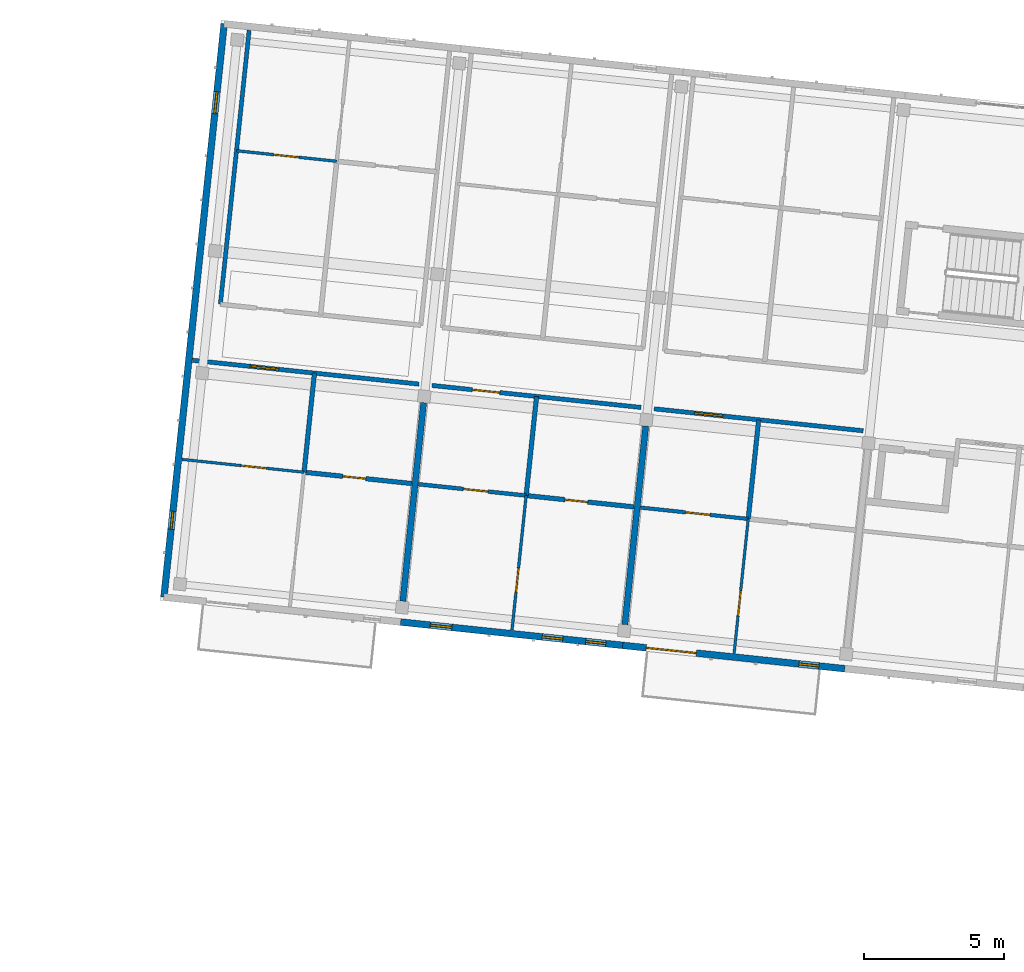
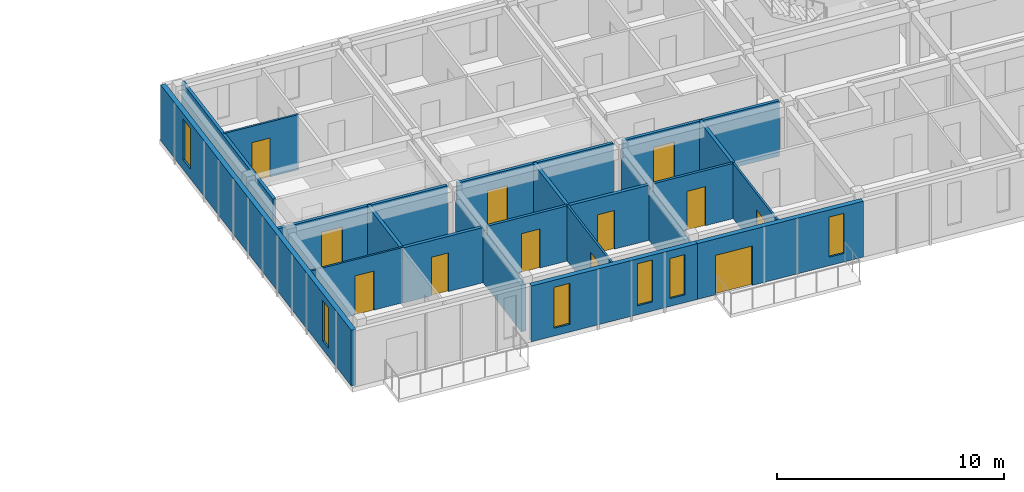
# One storey, part 27 of 56: 20 walls, 12 doors, 6 windows, 18 openings.
"""IFC4 building model written with IfcOpenShell, lengths in metres."""

from ifc_helpers import new_model, si_unit, direction, frame, frame_2d, origin, place, context, subcontext, project, spatial, rectangle, extrude, material, layer, layer_set, type_object, element, fill, save


model = new_model("IFC4")

# Units and contexts
model_context = context("Model", 3, precision=1e-05, world=origin(), true_north=direction((0.0, 1.0)))
body_context = subcontext(model_context, "Body", "Model", "MODEL_VIEW")
ifc_project = project(units=[si_unit("LENGTHUNIT", "METRE"), si_unit("AREAUNIT", "SQUARE_METRE"), si_unit("VOLUMEUNIT", "CUBIC_METRE"), si_unit("PLANEANGLEUNIT", "RADIAN"), si_unit("MASSUNIT", "GRAM", prefix="KILO")], contexts=[model_context])

# Site, building, storey
site_placement = place(None, origin())
site = spatial("IfcSite", under=ifc_project, at=site_placement, CompositionType="ELEMENT")
building_placement = place(site_placement, origin())
building = spatial("IfcBuilding", under=site, at=building_placement, Name="Kestramere Prow Commons", CompositionType="ELEMENT")
storey_placement = place(building_placement, frame((0.0, 0.0, 27.89990234375)))
storey = spatial("IfcBuildingStorey", under=building, at=storey_placement, Name="L08", CompositionType="ELEMENT", Elevation=27.89990234375)

# Wall, openings, windows
ifc_material_1 = material(Name="Fluoropolymer Standing-Seam Zinc-Aluminium Cladding", Category="aluminium")
ifc_layer_1 = layer(ifc_material_1, 0.239990234375)
ifc_layer_set_1 = layer_set([ifc_layer_1], Name="Fluoropolymer Standing-Seam Zinc-Aluminium Cladding")
wall_type_1 = type_object("IfcWallType", Name="EW-SEAM-240", PredefinedType="SOLIDWALL", material=ifc_layer_set_1)
wall_1_placement = place(storey_placement, frame((125.857421875, 92.60546875, 0.0), z_axis=(0.0, 0.0, 1.0), x_axis=(-0.994522329422, 0.104524333444, 0.0)))
wall_1 = element("IfcWall", 1, at=wall_1_placement, inside=storey, type_object=wall_type_1, Name="Block B L08 South Standing-Seam Wall 2", PredefinedType="SOLIDWALL", context=body_context, shape_type="SweptSolid", body=[
    extrude(rectangle(XDim=7.999755859375, YDim=0.239990234375, at=frame_2d((4.0, 0.0))), origin(), (0.0, 0.0, 1.0), 3.0),
])
opening_1_placement = place(wall_1_placement, frame((0.610107421875, 0.0, 0.419921875)))
opening_1 = element("IfcOpeningElement", 2, at=opening_1_placement, cuts=wall_1, Name="Opening WN-08", PredefinedType="OPENING", context=body_context, shape_type="SweptSolid", body=[
    extrude(rectangle(XDim=0.719970703125, YDim=2.159912109375, at=frame_2d((0.35986328125, 1.080078125))), frame((0.0, 0.135009765625, 0.0), z_axis=(0.0, -1.0, 0.0), x_axis=(1.0, 0.0, 0.0)), (0.0, 0.0, 1.0), 0.27001953125),
])
opening_2_placement = place(wall_1_placement, frame((2.159912109375, 0.0, 0.47998046875)))
opening_2 = element("IfcOpeningElement", 3, at=opening_2_placement, cuts=wall_1, Name="Opening WN-09", PredefinedType="OPENING", context=body_context, shape_type="SweptSolid", body=[
    extrude(rectangle(XDim=0.739990234375, YDim=2.260009765625, at=frame_2d((0.3701171875, 1.1298828125))), frame((0.0, 0.135009765625, 0.0), z_axis=(0.0, -1.0, 0.0), x_axis=(1.0, 0.0, 0.0)), (0.0, 0.0, 1.0), 0.27001953125),
])
opening_3_placement = place(wall_1_placement, frame((6.1484375, 0.0, 0.419921875)))
opening_3 = element("IfcOpeningElement", 4, at=opening_3_placement, cuts=wall_1, Name="Opening WN-11", PredefinedType="OPENING", context=body_context, shape_type="SweptSolid", body=[
    extrude(rectangle(XDim=0.780029296875, YDim=2.199951171875, at=frame_2d((0.39013671875, 1.10009765625))), frame((0.0, 0.135009765625, 0.0), z_axis=(0.0, -1.0, 0.0), x_axis=(1.0, 0.0, 0.0)), (0.0, 0.0, 1.0), 0.27001953125),
])
ifc_material_2 = material(Name="Low-E Laminated Double Glazing", Category="glass")
window_type_1 = type_object("IfcWindowType", Name="WN-NAR-720A", PartitioningType="SINGLE_PANEL", PredefinedType="WINDOW", material=ifc_material_2)
window_1_placement = place(opening_1_placement, origin())
window_1 = element("IfcWindow", 5, at=window_1_placement, inside=storey, type_object=window_type_1, Name="WN-B-L08-S-1-00", OverallHeight=2.159912109375, OverallWidth=0.719970703125, PartitioningType="SINGLE_PANEL", PredefinedType="WINDOW", context=body_context, shape_type="SweptSolid", body=[
    extrude(rectangle(XDim=0.719970703125, YDim=2.159912109375, at=frame_2d((0.35986328125, 1.080078125))), frame((0.0, 0.030029296875, 0.0), z_axis=(0.0, -1.0, 0.0), x_axis=(1.0, 0.0, 0.0)), (0.0, 0.0, 1.0), 0.06005859375),
])
fill(opening_1, window_1)
window_type_2 = type_object("IfcWindowType", Name="WN-NAR-740A", PartitioningType="SINGLE_PANEL", PredefinedType="WINDOW", material=ifc_material_2)
window_2_placement = place(opening_2_placement, origin())
window_2 = element("IfcWindow", 6, at=window_2_placement, inside=storey, type_object=window_type_2, Name="WN-B-L08-S-1-01", OverallHeight=2.260009765625, OverallWidth=0.739990234375, PartitioningType="SINGLE_PANEL", PredefinedType="WINDOW", context=body_context, shape_type="SweptSolid", body=[
    extrude(rectangle(XDim=0.739990234375, YDim=2.260009765625, at=frame_2d((0.3701171875, 1.1298828125))), frame((0.0, 0.030029296875, 0.0), z_axis=(0.0, -1.0, 0.0), x_axis=(1.0, 0.0, 0.0)), (0.0, 0.0, 1.0), 0.06005859375),
])
fill(opening_2, window_2)
window_type_3 = type_object("IfcWindowType", Name="WN-NAR-780A", PartitioningType="SINGLE_PANEL", PredefinedType="WINDOW", material=ifc_material_2)
window_3_placement = place(opening_3_placement, origin())
window_3 = element("IfcWindow", 7, at=window_3_placement, inside=storey, type_object=window_type_3, Name="WN-B-L08-S-1-10", OverallHeight=2.199951171875, OverallWidth=0.780029296875, PartitioningType="SINGLE_PANEL", PredefinedType="WINDOW", context=body_context, shape_type="SweptSolid", body=[
    extrude(rectangle(XDim=0.780029296875, YDim=2.199951171875, at=frame_2d((0.39013671875, 1.10009765625))), frame((0.0, 0.030029296875, 0.0), z_axis=(0.0, -1.0, 0.0), x_axis=(1.0, 0.0, 0.0)), (0.0, 0.0, 1.0), 0.06005859375),
])
fill(opening_3, window_3)

# Wall, openings, door, window
wall_2_placement = place(storey_placement, frame((133.813720703125, 91.769287109375, 0.0), z_axis=(0.0, 0.0, 1.0), x_axis=(-0.994522662826, 0.104521161134, 0.0)))
wall_2 = element("IfcWall", 8, at=wall_2_placement, inside=storey, type_object=wall_type_1, Name="Block B L08 South Standing-Seam Wall 3", PredefinedType="SOLIDWALL", context=body_context, shape_type="SweptSolid", body=[
    extrude(rectangle(XDim=8.0, YDim=0.239990234375, at=frame_2d((4.0, 0.0))), origin(), (0.0, 0.0, 1.0), 3.0),
])
opening_4_placement = place(wall_2_placement, frame((5.344970703125, 0.0, 0.0)))
opening_4 = element("IfcOpeningElement", 9, at=opening_4_placement, cuts=wall_2, Name="Opening GD-BAL-02", PredefinedType="OPENING", context=body_context, shape_type="SweptSolid", body=[
    extrude(rectangle(XDim=1.800048828125, YDim=2.1201171875, at=frame_2d((0.89990234375, 1.06005859375))), frame((0.0, 0.135009765625, 0.0), z_axis=(0.0, -1.0, 0.0), x_axis=(1.0, 0.0, 0.0)), (0.0, 0.0, 1.0), 0.27001953125),
])
opening_5_placement = place(wall_2_placement, frame((0.929931640625, 0.0, 0.4599609375)))
opening_5 = element("IfcOpeningElement", 10, at=opening_5_placement, cuts=wall_2, Name="Opening WN-08", PredefinedType="OPENING", context=body_context, shape_type="SweptSolid", body=[
    extrude(rectangle(XDim=0.719970703125, YDim=2.159912109375, at=frame_2d((0.35986328125, 1.080078125))), frame((0.0, 0.135009765625, 0.0), z_axis=(0.0, -1.0, 0.0), x_axis=(1.0, 0.0, 0.0)), (0.0, 0.0, 1.0), 0.27001953125),
])
ifc_material_3 = material(Name="Thermally-Broken Anodised Aluminium Glazed", Category="aluminium")
door_type_1 = type_object("IfcDoorType", Name="GD-BAL-1800", OperationType="SLIDING_TO_LEFT", PredefinedType="DOOR", material=ifc_material_3)
door_1_placement = place(opening_4_placement, origin())
door_1 = element("IfcDoor", 11, at=door_1_placement, inside=storey, type_object=door_type_1, Name="Block B L08 Balcony Door 3", OperationType="SLIDING_TO_LEFT", OverallHeight=2.1201171875, OverallWidth=1.800048828125, PredefinedType="DOOR", context=body_context, shape_type="SweptSolid", body=[
    extrude(rectangle(XDim=1.800048828125, YDim=2.1201171875, at=frame_2d((0.89990234375, 1.06005859375))), frame((0.0, 0.02490234375, 0.0), z_axis=(0.0, -1.0, 0.0), x_axis=(1.0, 0.0, 0.0)), (0.0, 0.0, 1.0), 0.050048828125),
])
fill(opening_4, door_1)
window_4_placement = place(opening_5_placement, origin())
window_4 = element("IfcWindow", 12, at=window_4_placement, inside=storey, type_object=window_type_1, Name="WN-B-L08-SR-2", OverallHeight=2.159912109375, OverallWidth=0.719970703125, PartitioningType="SINGLE_PANEL", PredefinedType="WINDOW", context=body_context, shape_type="SweptSolid", body=[
    extrude(rectangle(XDim=0.719970703125, YDim=2.159912109375, at=frame_2d((0.35986328125, 1.080078125))), frame((0.0, 0.030029296875, 0.0), z_axis=(0.0, -1.0, 0.0), x_axis=(1.0, 0.0, 0.0)), (0.0, 0.0, 1.0), 0.06005859375),
])
fill(opening_5, window_4)

# Wall, openings, windows
wall_3_placement = place(storey_placement, frame((109.423095703125, 94.332763671875, 0.0), z_axis=(0.0, 0.0, 1.0), x_axis=(0.1045253859, 0.994522218808, 0.0)))
wall_3 = element("IfcWall", 13, at=wall_3_placement, inside=storey, type_object=wall_type_1, Name="Block B L08 EAV Facet Wall", PredefinedType="SOLIDWALL", context=body_context, shape_type="SweptSolid", body=[
    extrude(rectangle(XDim=20.64990234375, YDim=0.239990234375, at=frame_2d((10.324951171875, 0.0))), origin(), (0.0, 0.0, 1.0), 3.0),
])
opening_6_placement = place(wall_3_placement, frame((2.449951171875, 0.0, 0.449951171875)))
opening_6 = element("IfcOpeningElement", 14, at=opening_6_placement, cuts=wall_3, Name="Opening WN-04", PredefinedType="OPENING", context=body_context, shape_type="SweptSolid", body=[
    extrude(rectangle(XDim=0.639892578125, YDim=2.179931640625, at=frame_2d((0.31982421875, 1.08984375))), frame((0.0, 0.135009765625, 0.0), z_axis=(0.0, -1.0, 0.0), x_axis=(1.0, 0.0, 0.0)), (0.0, 0.0, 1.0), 0.27001953125),
])
opening_7_placement = place(wall_3_placement, frame((17.419921875, 0.0, 0.52001953125)))
opening_7 = element("IfcOpeningElement", 15, at=opening_7_placement, cuts=wall_3, Name="Opening WN-11", PredefinedType="OPENING", context=body_context, shape_type="SweptSolid", body=[
    extrude(rectangle(XDim=0.780029296875, YDim=2.199951171875, at=frame_2d((0.39013671875, 1.10009765625))), frame((0.0, 0.135009765625, 0.0), z_axis=(0.0, -1.0, 0.0), x_axis=(1.0, 0.0, 0.0)), (0.0, 0.0, 1.0), 0.27001953125),
])
window_type_4 = type_object("IfcWindowType", Name="WN-NAR-640A", PartitioningType="SINGLE_PANEL", PredefinedType="WINDOW", material=ifc_material_2)
window_5_placement = place(opening_6_placement, origin())
window_5 = element("IfcWindow", 16, at=window_5_placement, inside=storey, type_object=window_type_4, Name="WN-B-L08-EAV-0", OverallHeight=2.179931640625, OverallWidth=0.639892578125, PartitioningType="SINGLE_PANEL", PredefinedType="WINDOW", context=body_context, shape_type="SweptSolid", body=[
    extrude(rectangle(XDim=0.639892578125, YDim=2.179931640625, at=frame_2d((0.31982421875, 1.08984375))), frame((0.0, 0.030029296875, 0.0), z_axis=(0.0, -1.0, 0.0), x_axis=(1.0, 0.0, 0.0)), (0.0, 0.0, 1.0), 0.06005859375),
])
fill(opening_6, window_5)
window_6_placement = place(opening_7_placement, origin())
window_6 = element("IfcWindow", 17, at=window_6_placement, inside=storey, type_object=window_type_3, Name="WN-B-L08-EAV-1", OverallHeight=2.199951171875, OverallWidth=0.780029296875, PartitioningType="SINGLE_PANEL", PredefinedType="WINDOW", context=body_context, shape_type="SweptSolid", body=[
    extrude(rectangle(XDim=0.780029296875, YDim=2.199951171875, at=frame_2d((0.39013671875, 1.10009765625))), frame((0.0, 0.030029296875, 0.0), z_axis=(0.0, -1.0, 0.0), x_axis=(1.0, 0.0, 0.0)), (0.0, 0.0, 1.0), 0.06005859375),
])
fill(opening_7, window_6)

# Wall, opening, door
ifc_material_4 = material(Name="Fire-Rated Calcium Silicate Wall")
ifc_layer_2 = layer(ifc_material_4, 0.155029296875)
ifc_layer_set_2 = layer_set([ifc_layer_2], Name="Fire-Rated Calcium Silicate Wall")
wall_type_2 = type_object("IfcWallType", Name="W-FIRE-150", PredefinedType="PARTITIONING", material=ifc_layer_set_2)
wall_4_placement = place(storey_placement, frame((110.445556640625, 102.8173828125, 0.0), z_axis=(0.0, 0.0, 1.0), x_axis=(0.994520852686, -0.104538383252, 0.0)))
wall_4 = element("IfcWall", 18, at=wall_4_placement, inside=storey, type_object=wall_type_2, Name="Interior Partition PW-B-L08-CS-0", PredefinedType="PARTITIONING", context=body_context, shape_type="SweptSolid", body=[
    extrude(rectangle(XDim=8.159912109375, YDim=0.155029296875, at=frame_2d((4.080078125, 0.0))), origin(), (0.0, 0.0, 1.0), 2.97021484375),
])
opening_8_placement = place(wall_4_placement, frame((2.0849609375, 0.0, 0.0)))
opening_8 = element("IfcOpeningElement", 19, at=opening_8_placement, cuts=wall_4, Name="Opening ID-05", PredefinedType="OPENING", context=body_context, shape_type="SweptSolid", body=[
    extrude(rectangle(XDim=1.02001953125, YDim=2.199951171875, at=frame_2d((0.510009765625, 1.10009765625))), frame((0.0, 0.092529296875, 0.0), z_axis=(0.0, -1.0, 0.0), x_axis=(1.0, 0.0, 0.0)), (0.0, 0.0, 1.0), 0.18505859375),
])
ifc_material_5 = material(Name="Hardwood Fire-Rated Flat Entrance Door", Category="wood")
door_type_2 = type_object("IfcDoorType", Name="FD-ENT-02", OperationType="NOTDEFINED", PredefinedType="DOOR", material=ifc_material_5)
door_2_placement = place(opening_8_placement, origin())
door_2 = element("IfcDoor", 20, at=door_2_placement, inside=storey, type_object=door_type_2, Name="Interior Door DR-B-L08-ENT-S0", OperationType="SINGLE_SWING_LEFT", OverallHeight=2.199951171875, OverallWidth=1.02001953125, PredefinedType="DOOR", context=body_context, shape_type="SweptSolid", body=[
    extrude(rectangle(XDim=1.02001953125, YDim=2.199951171875, at=frame_2d((0.510009765625, 1.10009765625))), frame((0.0, 0.02490234375, 0.0), z_axis=(0.0, -1.0, 0.0), x_axis=(1.0, 0.0, 0.0)), (0.0, 0.0, 1.0), 0.050048828125),
])
fill(opening_8, door_2)

wall_5_placement = place(storey_placement, frame((119.0283203125, 101.915283203125, 0.0), z_axis=(0.0, 0.0, 1.0), x_axis=(0.994521430918, -0.10453288212, 0.0)))
wall_5 = element("IfcWall", 21, at=wall_5_placement, inside=storey, type_object=wall_type_2, Name="Interior Partition PW-B-L08-CS-1", PredefinedType="PARTITIONING", context=body_context, shape_type="SweptSolid", body=[
    extrude(rectangle(XDim=7.52978515625, YDim=0.155029296875, at=frame_2d((3.764892578125, 0.0))), origin(), (0.0, 0.0, 1.0), 2.97021484375),
])
opening_9_placement = place(wall_5_placement, frame((1.455078125, 0.0, 0.0)))
opening_9 = element("IfcOpeningElement", 22, at=opening_9_placement, cuts=wall_5, Name="Opening ID-04", PredefinedType="OPENING", context=body_context, shape_type="SweptSolid", body=[
    extrude(rectangle(XDim=0.97998046875, YDim=2.14990234375, at=frame_2d((0.489990234375, 1.074951171875))), frame((0.0, 0.092529296875, 0.0), z_axis=(0.0, -1.0, 0.0), x_axis=(1.0, 0.0, 0.0)), (0.0, 0.0, 1.0), 0.18505859375),
])
door_type_3 = type_object("IfcDoorType", Name="FD-ENT-01", OperationType="NOTDEFINED", PredefinedType="DOOR", material=ifc_material_5)
door_3_placement = place(opening_9_placement, origin())
door_3 = element("IfcDoor", 23, at=door_3_placement, inside=storey, type_object=door_type_3, Name="Interior Door DR-B-L08-ENT-S1", OperationType="SINGLE_SWING_RIGHT", OverallHeight=2.14990234375, OverallWidth=0.97998046875, PredefinedType="DOOR", context=body_context, shape_type="SweptSolid", body=[
    extrude(rectangle(XDim=0.97998046875, YDim=2.14990234375, at=frame_2d((0.489990234375, 1.074951171875))), frame((0.0, 0.02490234375, 0.0), z_axis=(0.0, -1.0, 0.0), x_axis=(1.0, 0.0, 0.0)), (0.0, 0.0, 1.0), 0.050048828125),
])
fill(opening_9, door_3)

wall_6_placement = place(storey_placement, frame((126.984375, 101.0791015625, 0.0), z_axis=(0.0, 0.0, 1.0), x_axis=(0.994521785195, -0.104529511491, 0.0)))
wall_6 = element("IfcWall", 24, at=wall_6_placement, inside=storey, type_object=wall_type_2, Name="Interior Partition PW-B-L08-CS-2", PredefinedType="PARTITIONING", context=body_context, shape_type="SweptSolid", body=[
    extrude(rectangle(XDim=7.530029296875, YDim=0.155029296875, at=frame_2d((3.76513671875, 0.0))), origin(), (0.0, 0.0, 1.0), 2.97021484375),
])
opening_10_placement = place(wall_6_placement, frame((1.455078125, 0.0, 0.0)))
opening_10 = element("IfcOpeningElement", 25, at=opening_10_placement, cuts=wall_6, Name="Opening ID-05", PredefinedType="OPENING", context=body_context, shape_type="SweptSolid", body=[
    extrude(rectangle(XDim=1.02001953125, YDim=2.199951171875, at=frame_2d((0.510009765625, 1.10009765625))), frame((0.0, 0.092529296875, 0.0), z_axis=(0.0, -1.0, 0.0), x_axis=(1.0, 0.0, 0.0)), (0.0, 0.0, 1.0), 0.18505859375),
])
door_4_placement = place(opening_10_placement, origin())
door_4 = element("IfcDoor", 26, at=door_4_placement, inside=storey, type_object=door_type_2, Name="Interior Door DR-B-L08-ENT-S2", OperationType="SINGLE_SWING_LEFT", OverallHeight=2.199951171875, OverallWidth=1.02001953125, PredefinedType="DOOR", context=body_context, shape_type="SweptSolid", body=[
    extrude(rectangle(XDim=1.02001953125, YDim=2.199951171875, at=frame_2d((0.510009765625, 1.10009765625))), frame((0.0, 0.02490234375, 0.0), z_axis=(0.0, -1.0, 0.0), x_axis=(1.0, 0.0, 0.0)), (0.0, 0.0, 1.0), 0.050048828125),
])
fill(opening_10, door_4)

ifc_material_6 = material(Name="Gypsum Acoustic Drywall")
ifc_layer_3 = layer(ifc_material_6, 0.10009765625)
ifc_layer_set_3 = layer_set([ifc_layer_3], Name="Gypsum Acoustic Drywall")
wall_type_3 = type_object("IfcWallType", Name="W-PART-100", PredefinedType="PARTITIONING", material=ifc_layer_set_3)
wall_7_placement = place(storey_placement, frame((121.8935546875, 93.15771484375, 0.0), z_axis=(0.0, 0.0, 1.0), x_axis=(0.104516733692, 0.994523128126, 0.0)))
wall_7 = element("IfcWall", 27, at=wall_7_placement, inside=storey, type_object=wall_type_3, Name="Interior Partition PW-B-L08-LB-S1", PredefinedType="PARTITIONING", context=body_context, shape_type="SweptSolid", body=[
    extrude(rectangle(XDim=4.840087890625, YDim=0.10009765625, at=frame_2d((2.419921875, 0.0))), origin(), (0.0, 0.0, 1.0), 2.97021484375),
])
opening_11_placement = place(wall_7_placement, frame((1.35009765625, 0.0, 0.0)))
opening_11 = element("IfcOpeningElement", 28, at=opening_11_placement, cuts=wall_7, Name="Opening ID-10", PredefinedType="OPENING", context=body_context, shape_type="SweptSolid", body=[
    extrude(rectangle(XDim=0.8798828125, YDim=2.10009765625, at=frame_2d((0.43994140625, 1.050048828125))), frame((0.0, 0.06494140625, 0.0), z_axis=(0.0, -1.0, 0.0), x_axis=(1.0, 0.0, 0.0)), (0.0, 0.0, 1.0), 0.130126953125),
])
ifc_material_7 = material(Name="Engineered Timber Bedroom Door", Category="wood")
door_type_4 = type_object("IfcDoorType", Name="D-RM-03", OperationType="NOTDEFINED", PredefinedType="DOOR", material=ifc_material_7)
door_5_placement = place(opening_11_placement, origin())
door_5 = element("IfcDoor", 29, at=door_5_placement, inside=storey, type_object=door_type_4, Name="Interior Door DR-B-L08-BED-S1", OperationType="SINGLE_SWING_RIGHT", OverallHeight=2.10009765625, OverallWidth=0.8798828125, PredefinedType="DOOR", context=body_context, shape_type="SweptSolid", body=[
    extrude(rectangle(XDim=0.8798828125, YDim=2.10009765625, at=frame_2d((0.43994140625, 1.050048828125))), frame((0.0, 0.02490234375, 0.0), z_axis=(0.0, -1.0, 0.0), x_axis=(1.0, 0.0, 0.0)), (0.0, 0.0, 1.0), 0.050048828125),
])
fill(opening_11, door_5)

wall_8_placement = place(storey_placement, frame((112.023681640625, 110.323486328125, 0.0), z_axis=(0.0, 0.0, 1.0), x_axis=(0.994519525119, -0.104551012229, 0.0)))
wall_8 = element("IfcWall", 30, at=wall_8_placement, inside=storey, type_object=wall_type_3, Name="Interior Partition PW-B-L08-MIDN1-0", PredefinedType="PARTITIONING", context=body_context, shape_type="SweptSolid", body=[
    extrude(rectangle(XDim=3.610107421875, YDim=0.10009765625, at=frame_2d((1.80517578125, 0.0))), origin(), (0.0, 0.0, 1.0), 2.97021484375),
])
opening_12_placement = place(wall_8_placement, frame((1.35498046875, 0.0, 0.0)))
opening_12 = element("IfcOpeningElement", 31, at=opening_12_placement, cuts=wall_8, Name="Opening ID-10", PredefinedType="OPENING", context=body_context, shape_type="SweptSolid", body=[
    extrude(rectangle(XDim=0.8798828125, YDim=2.10009765625, at=frame_2d((0.43994140625, 1.050048828125))), frame((0.0, 0.06494140625, 0.0), z_axis=(0.0, -1.0, 0.0), x_axis=(1.0, 0.0, 0.0)), (0.0, 0.0, 1.0), 0.130126953125),
])
door_6_placement = place(opening_12_placement, origin())
door_6 = element("IfcDoor", 32, at=door_6_placement, inside=storey, type_object=door_type_4, Name="Interior Door DR-B-L08-KL-N0", OperationType="SINGLE_SWING_LEFT", OverallHeight=2.10009765625, OverallWidth=0.8798828125, PredefinedType="DOOR", context=body_context, shape_type="SweptSolid", body=[
    extrude(rectangle(XDim=0.8798828125, YDim=2.10009765625, at=frame_2d((0.43994140625, 1.050048828125))), frame((0.0, 0.02490234375, 0.0), z_axis=(0.0, -1.0, 0.0), x_axis=(1.0, 0.0, 0.0)), (0.0, 0.0, 1.0), 0.050048828125),
])
fill(opening_12, door_6)

ifc_material_8 = material(Name="Lightweight Blockwork and Plaster", Category="masonry")
ifc_layer_4 = layer(ifc_material_8, 0.1298828125)
ifc_layer_set_4 = layer_set([ifc_layer_4], Name="Lightweight Blockwork and Plaster")
wall_type_4 = type_object("IfcWallType", Name="W-PART-130", PredefinedType="PARTITIONING", material=ifc_layer_set_4)
wall_9_placement = place(storey_placement, frame((126.491943359375, 97.541259765625, 0.0), z_axis=(0.0, 0.0, 1.0), x_axis=(0.994517154753, -0.104573557378, 0.0)))
wall_9 = element("IfcWall", 33, at=wall_9_placement, inside=storey, type_object=wall_type_4, Name="Interior Partition PW-B-L08-MIDS1-2", PredefinedType="PARTITIONING", context=body_context, shape_type="SweptSolid", body=[
    extrude(rectangle(XDim=3.884765625, YDim=0.1298828125, at=frame_2d((1.9423828125, 0.0))), origin(), (0.0, 0.0, 1.0), 2.97021484375),
])
opening_13_placement = place(wall_9_placement, frame((1.625, 0.0, 0.0)))
opening_13 = element("IfcOpeningElement", 34, at=opening_13_placement, cuts=wall_9, Name="Opening ID-10", PredefinedType="OPENING", context=body_context, shape_type="SweptSolid", body=[
    extrude(rectangle(XDim=0.8798828125, YDim=2.10009765625, at=frame_2d((0.43994140625, 1.050048828125))), frame((0.0, 0.079833984375, 0.0), z_axis=(0.0, -1.0, 0.0), x_axis=(1.0, 0.0, 0.0)), (0.0, 0.0, 1.0), 0.159912109375),
])
door_7_placement = place(opening_13_placement, origin())
door_7 = element("IfcDoor", 35, at=door_7_placement, inside=storey, type_object=door_type_4, Name="Interior Door DR-B-L08-KL-S2", OperationType="SINGLE_SWING_RIGHT", OverallHeight=2.10009765625, OverallWidth=0.8798828125, PredefinedType="DOOR", context=body_context, shape_type="SweptSolid", body=[
    extrude(rectangle(XDim=0.8798828125, YDim=2.10009765625, at=frame_2d((0.43994140625, 1.050048828125))), frame((0.0, 0.02490234375, 0.0), z_axis=(0.0, -1.0, 0.0), x_axis=(1.0, 0.0, 0.0)), (0.0, 0.0, 1.0), 0.050048828125),
])
fill(opening_13, door_7)

ifc_material_9 = material(Name="Masonry Compartment Wall", Category="masonry")
ifc_layer_5 = layer(ifc_material_9, 0.139892578125)
ifc_layer_set_5 = layer_set([ifc_layer_5], Name="Masonry Compartment Wall")
wall_type_5 = type_object("IfcWallType", Name="W-PART-140", PredefinedType="PARTITIONING", material=ifc_layer_set_5)
wall_10_placement = place(storey_placement, frame((118.53564453125, 98.37744140625, 0.0), z_axis=(0.0, 0.0, 1.0), x_axis=(0.994517841934, -0.104567021925, 0.0)))
wall_10 = element("IfcWall", 36, at=wall_10_placement, inside=storey, type_object=wall_type_5, Name="Interior Partition PW-B-L08-MIDS1-1", PredefinedType="PARTITIONING", context=body_context, shape_type="SweptSolid", body=[
    extrude(rectangle(XDim=3.885009765625, YDim=0.139892578125, at=frame_2d((1.9423828125, 0.0))), origin(), (0.0, 0.0, 1.0), 2.97021484375),
])
opening_14_placement = place(wall_10_placement, frame((1.625, 0.0, 0.0)))
opening_14 = element("IfcOpeningElement", 37, at=opening_14_placement, cuts=wall_10, Name="Opening ID-08", PredefinedType="OPENING", context=body_context, shape_type="SweptSolid", body=[
    extrude(rectangle(XDim=0.89990234375, YDim=2.10009765625, at=frame_2d((0.449951171875, 1.050048828125))), frame((0.0, 0.0849609375, 0.0), z_axis=(0.0, -1.0, 0.0), x_axis=(1.0, 0.0, 0.0)), (0.0, 0.0, 1.0), 0.169921875),
])
ifc_material_10 = material(Name="Engineered Timber Flush Door", Category="wood")
door_type_5 = type_object("IfcDoorType", Name="D-RM-01", OperationType="NOTDEFINED", PredefinedType="DOOR", material=ifc_material_10)
door_8_placement = place(opening_14_placement, origin())
door_8 = element("IfcDoor", 38, at=door_8_placement, inside=storey, type_object=door_type_5, Name="Interior Door DR-B-L08-KL-S1", OperationType="SINGLE_SWING_RIGHT", OverallHeight=2.10009765625, OverallWidth=0.89990234375, PredefinedType="DOOR", context=body_context, shape_type="SweptSolid", body=[
    extrude(rectangle(XDim=0.89990234375, YDim=2.10009765625, at=frame_2d((0.449951171875, 1.050048828125))), frame((0.0, 0.02490234375, 0.0), z_axis=(0.0, -1.0, 0.0), x_axis=(1.0, 0.0, 0.0)), (0.0, 0.0, 1.0), 0.050048828125),
])
fill(opening_14, door_8)

# Wall
ifc_layer_6 = layer(ifc_material_9, 0.14990234375)
ifc_layer_set_6 = layer_set([ifc_layer_6], Name="Masonry Compartment Wall")
wall_type_6 = type_object("IfcWallType", Name="W-PART-150", PredefinedType="PARTITIONING", material=ifc_layer_set_6)
wall_11_placement = place(storey_placement, frame((111.44580078125, 104.82373046875, 0.0), z_axis=(0.0, 0.0, 1.0), x_axis=(0.104508379977, 0.994524006002, 0.0)))
element("IfcWall", 39, at=wall_11_placement, inside=storey, type_object=wall_type_6, Name="Interior Partition PW-B-L08-NWL-0", PredefinedType="PARTITIONING", context=body_context, shape_type="SweptSolid", body=[
    extrude(rectangle(XDim=9.869873046875, YDim=0.14990234375, at=frame_2d((4.93505859375, 0.0))), origin(), (0.0, 0.0, 1.0), 2.97021484375),
])

# Wall, opening, door
ifc_layer_7 = layer(ifc_material_6, 0.094970703125)
ifc_layer_set_7 = layer_set([ifc_layer_7], Name="Gypsum Acoustic Drywall")
wall_type_7 = type_object("IfcWallType", Name="W-PART-95", PredefinedType="PARTITIONING", material=ifc_layer_set_7)
wall_12_placement = place(storey_placement, frame((110.072265625, 99.266845703125, 0.0), z_axis=(0.0, 0.0, 1.0), x_axis=(0.994526434513, -0.104485267165, 0.0)))
wall_12 = element("IfcWall", 40, at=wall_12_placement, inside=storey, type_object=wall_type_7, Name="Interior Partition PW-B-L08-MIDS1-0", PredefinedType="PARTITIONING", context=body_context, shape_type="SweptSolid", body=[
    extrude(rectangle(XDim=4.395263671875, YDim=0.094970703125, at=frame_2d((2.19775390625, 0.0))), origin(), (0.0, 0.0, 1.0), 2.97021484375),
])
opening_15_placement = place(wall_12_placement, frame((2.135009765625, 0.0, 0.0)))
opening_15 = element("IfcOpeningElement", 41, at=opening_15_placement, cuts=wall_12, Name="Opening ID-08", PredefinedType="OPENING", context=body_context, shape_type="SweptSolid", body=[
    extrude(rectangle(XDim=0.89990234375, YDim=2.10009765625, at=frame_2d((0.449951171875, 1.050048828125))), frame((0.0, 0.0625, 0.0), z_axis=(0.0, -1.0, 0.0), x_axis=(1.0, 0.0, 0.0)), (0.0, 0.0, 1.0), 0.125),
])
door_9_placement = place(opening_15_placement, origin())
door_9 = element("IfcDoor", 42, at=door_9_placement, inside=storey, type_object=door_type_5, Name="Interior Door DR-B-L08-KL-S0", OperationType="SINGLE_SWING_RIGHT", OverallHeight=2.10009765625, OverallWidth=0.89990234375, PredefinedType="DOOR", context=body_context, shape_type="SweptSolid", body=[
    extrude(rectangle(XDim=0.89990234375, YDim=2.10009765625, at=frame_2d((0.449951171875, 1.050048828125))), frame((0.0, 0.02490234375, 0.0), z_axis=(0.0, -1.0, 0.0), x_axis=(1.0, 0.0, 0.0)), (0.0, 0.0, 1.0), 0.050048828125),
])
fill(opening_15, door_9)

wall_13_placement = place(storey_placement, frame((129.849609375, 92.321533203125, 0.0), z_axis=(0.0, 0.0, 1.0), x_axis=(0.104516733692, 0.994523128126, 0.0)))
wall_13 = element("IfcWall", 43, at=wall_13_placement, inside=storey, type_object=wall_type_7, Name="Interior Partition PW-B-L08-LB-S2", PredefinedType="PARTITIONING", context=body_context, shape_type="SweptSolid", body=[
    extrude(rectangle(XDim=4.840087890625, YDim=0.094970703125, at=frame_2d((2.419921875, 0.0))), origin(), (0.0, 0.0, 1.0), 2.97021484375),
])
opening_16_placement = place(wall_13_placement, frame((1.35009765625, 0.0, 0.0)))
opening_16 = element("IfcOpeningElement", 44, at=opening_16_placement, cuts=wall_13, Name="Opening ID-08", PredefinedType="OPENING", context=body_context, shape_type="SweptSolid", body=[
    extrude(rectangle(XDim=0.89990234375, YDim=2.10009765625, at=frame_2d((0.449951171875, 1.050048828125))), frame((0.0, 0.0625, 0.0), z_axis=(0.0, -1.0, 0.0), x_axis=(1.0, 0.0, 0.0)), (0.0, 0.0, 1.0), 0.125),
])
door_10_placement = place(opening_16_placement, origin())
door_10 = element("IfcDoor", 45, at=door_10_placement, inside=storey, type_object=door_type_5, Name="Interior Door DR-B-L08-BED-S2", OperationType="SINGLE_SWING_LEFT", OverallHeight=2.10009765625, OverallWidth=0.89990234375, PredefinedType="DOOR", context=body_context, shape_type="SweptSolid", body=[
    extrude(rectangle(XDim=0.89990234375, YDim=2.10009765625, at=frame_2d((0.449951171875, 1.050048828125))), frame((0.0, 0.02490234375, 0.0), z_axis=(0.0, -1.0, 0.0), x_axis=(1.0, 0.0, 0.0)), (0.0, 0.0, 1.0), 0.050048828125),
])
fill(opening_16, door_10)

ifc_material_11 = material(Name="Waterproof Sanitary Masonry Wall", Category="masonry")
ifc_layer_8 = layer(ifc_material_11, 0.1650390625)
ifc_layer_set_8 = layer_set([ifc_layer_8], Name="Waterproof Sanitary Masonry Wall")
wall_type_8 = type_object("IfcWallType", Name="W-PLUMB-150", PredefinedType="PLUMBINGWALL", material=ifc_layer_set_8)
wall_14_placement = place(storey_placement, frame((114.443359375, 98.8076171875, 0.0), z_axis=(0.0, 0.0, 1.0), x_axis=(0.994517154753, -0.104573557378, 0.0)))
wall_14 = element("IfcWall", 46, at=wall_14_placement, inside=storey, type_object=wall_type_8, Name="Interior Partition PW-B-L08-MIDS2-0", PredefinedType="PLUMBINGWALL", context=body_context, shape_type="SweptSolid", body=[
    extrude(rectangle(XDim=3.884765625, YDim=0.1650390625, at=frame_2d((1.9423828125, 0.0))), origin(), (0.0, 0.0, 1.0), 2.97021484375),
])
opening_17_placement = place(wall_14_placement, frame((1.39990234375, 0.0, 0.0)))
opening_17 = element("IfcOpeningElement", 47, at=opening_17_placement, cuts=wall_14, Name="Opening ID-11", PredefinedType="OPENING", context=body_context, shape_type="SweptSolid", body=[
    extrude(rectangle(XDim=0.820068359375, YDim=2.080078125, at=frame_2d((0.41015625, 1.0400390625))), frame((0.0, 0.097412109375, 0.0), z_axis=(0.0, -1.0, 0.0), x_axis=(1.0, 0.0, 0.0)), (0.0, 0.0, 1.0), 0.195068359375),
])
ifc_material_12 = material(Name="Moisture-Resistant Timber Bathroom Door", Category="wood")
door_type_6 = type_object("IfcDoorType", Name="D-BT-01", OperationType="NOTDEFINED", PredefinedType="DOOR", material=ifc_material_12)
door_11_placement = place(opening_17_placement, origin())
door_11 = element("IfcDoor", 48, at=door_11_placement, inside=storey, type_object=door_type_6, Name="Interior Door DR-B-L08-BTH-S0", OperationType="SINGLE_SWING_LEFT", OverallHeight=2.080078125, OverallWidth=0.820068359375, PredefinedType="DOOR", context=body_context, shape_type="SweptSolid", body=[
    extrude(rectangle(XDim=0.820068359375, YDim=2.080078125, at=frame_2d((0.41015625, 1.0400390625))), frame((0.0, 0.02490234375, 0.0), z_axis=(0.0, -1.0, 0.0), x_axis=(1.0, 0.0, 0.0)), (0.0, 0.0, 1.0), 0.050048828125),
])
fill(opening_17, door_11)

# Wall
wall_15_placement = place(storey_placement, frame((114.443359375, 98.8076171875, 0.0), z_axis=(0.0, 0.0, 1.0), x_axis=(0.104499661737, 0.994524922109, 0.0)))
element("IfcWall", 49, at=wall_15_placement, inside=storey, type_object=wall_type_8, Name="Interior Partition PW-B-L08-KB-S0", PredefinedType="PLUMBINGWALL", context=body_context, shape_type="SweptSolid", body=[
    extrude(rectangle(XDim=3.56982421875, YDim=0.1650390625, at=frame_2d((1.784912109375, 0.0))), origin(), (0.0, 0.0, 1.0), 2.97021484375),
])

# Wall, opening, door
wall_16_placement = place(storey_placement, frame((122.3994140625, 97.97119140625, 0.0), z_axis=(0.0, 0.0, 1.0), x_axis=(0.994524375082, -0.104504867671, 0.0)))
wall_16 = element("IfcWall", 50, at=wall_16_placement, inside=storey, type_object=wall_type_8, Name="Interior Partition PW-B-L08-MIDS2-1", PredefinedType="PLUMBINGWALL", context=body_context, shape_type="SweptSolid", body=[
    extrude(rectangle(XDim=3.885009765625, YDim=0.1650390625, at=frame_2d((1.9423828125, 0.0))), origin(), (0.0, 0.0, 1.0), 2.97021484375),
])
opening_18_placement = place(wall_16_placement, frame((1.39990234375, 0.0, 0.0)))
opening_18 = element("IfcOpeningElement", 51, at=opening_18_placement, cuts=wall_16, Name="Opening ID-11", PredefinedType="OPENING", context=body_context, shape_type="SweptSolid", body=[
    extrude(rectangle(XDim=0.820068359375, YDim=2.080078125, at=frame_2d((0.41015625, 1.0400390625))), frame((0.0, 0.097412109375, 0.0), z_axis=(0.0, -1.0, 0.0), x_axis=(1.0, 0.0, 0.0)), (0.0, 0.0, 1.0), 0.195068359375),
])
door_12_placement = place(opening_18_placement, origin())
door_12 = element("IfcDoor", 52, at=door_12_placement, inside=storey, type_object=door_type_6, Name="Interior Door DR-B-L08-BTH-S1", OperationType="SINGLE_SWING_LEFT", OverallHeight=2.080078125, OverallWidth=0.820068359375, PredefinedType="DOOR", context=body_context, shape_type="SweptSolid", body=[
    extrude(rectangle(XDim=0.820068359375, YDim=2.080078125, at=frame_2d((0.41015625, 1.0400390625))), frame((0.0, 0.02490234375, 0.0), z_axis=(0.0, -1.0, 0.0), x_axis=(1.0, 0.0, 0.0)), (0.0, 0.0, 1.0), 0.050048828125),
])
fill(opening_18, door_12)

# Walls
for number, where, z_axis, x_axis, name in (
    (53, (122.3994140625, 97.97119140625, 0.0), (0.0, 0.0, 1.0), (0.104492554633, 0.994525668862, 0.0), "Interior Partition PW-B-L08-KB-S1"),
    (54, (130.35546875, 97.135009765625, 0.0), (0.0, 0.0, 1.0), (0.10456019241, 0.994518559989, 0.0), "Interior Partition PW-B-L08-KB-S2"),
):
    element("IfcWall", number, at=place(storey_placement, frame(where, z_axis=z_axis, x_axis=x_axis)), inside=storey, type_object=wall_type_8, Name=name, PredefinedType="PLUMBINGWALL", context=body_context, shape_type="SweptSolid", body=[
        extrude(rectangle(XDim=3.570068359375, YDim=0.1650390625, at=frame_2d((1.78515625, 0.0))), origin(), (0.0, 0.0, 1.0), 2.97021484375),
    ])
ifc_material_13 = material(Name="Precast concrete C40/50", Category="concrete")
ifc_layer_9 = layer(ifc_material_13, 0.219970703125)
ifc_layer_set_9 = layer_set([ifc_layer_9], Name="Precast concrete C40/50")
wall_type_9 = type_object("IfcWallType", Name="W-XWALL-220", PredefinedType="SHEAR", material=ifc_layer_set_9)
wall_17_placement = place(storey_placement, frame((117.979736328125, 94.1875, 0.0), z_axis=(0.0, 0.0, 1.0), x_axis=(0.104519481265, 0.994522839374, 0.0)))
element("IfcWall", 55, at=wall_17_placement, inside=storey, type_object=wall_type_9, Name="Block B L08 Precast Cross-Wall 1", PredefinedType="SHEAR", context=body_context, shape_type="SweptSolid", body=[
    extrude(rectangle(XDim=7.14990234375, YDim=0.219970703125, at=frame_2d((3.574951171875, 0.0))), origin(), (0.0, 0.0, 1.0), 2.5),
])
wall_18_placement = place(storey_placement, frame((125.935791015625, 93.351318359375, 0.0), z_axis=(0.0, 0.0, 1.0), x_axis=(0.104553253602, 0.994519289487, 0.0)))
element("IfcWall", 56, at=wall_18_placement, inside=storey, type_object=wall_type_9, Name="Block B L08 Precast Cross-Wall 2", PredefinedType="SHEAR", context=body_context, shape_type="SweptSolid", body=[
    extrude(rectangle(XDim=7.150146484375, YDim=0.219970703125, at=frame_2d((3.5751953125, 0.0))), origin(), (0.0, 0.0, 1.0), 2.5),
])

save(model, "model.ifc")
